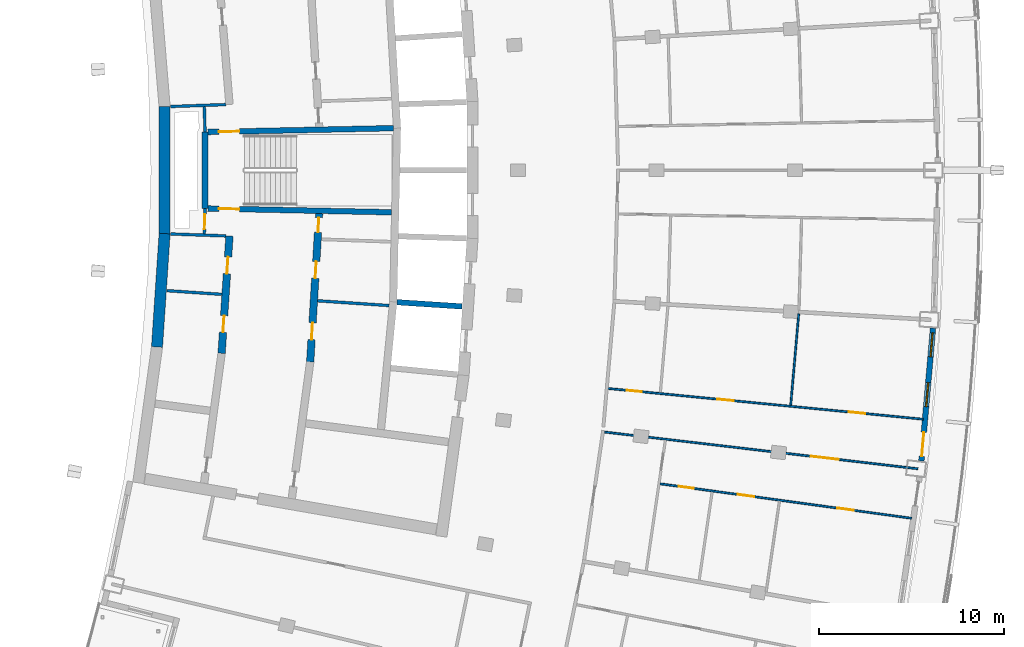
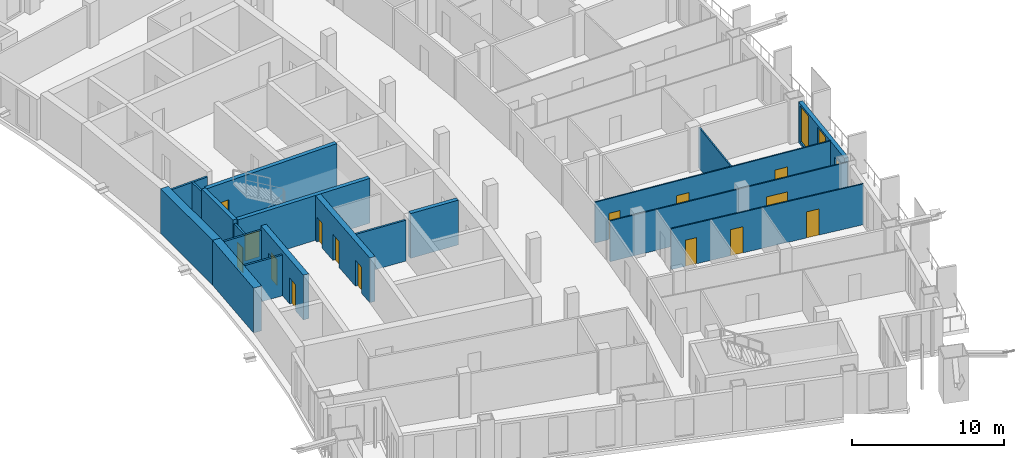
# One storey, part 11 of 21: 19 walls, 16 doors, 2 windows, 18 openings.
"""IFC4 building model written with IfcOpenShell, lengths in metres."""

from ifc_helpers import new_model, si_unit, direction, frame, frame_2d, origin, place, context, subcontext, project, spatial, rectangle, extrude, material, layer, layer_set, type_object, element, fill, save


model = new_model("IFC4")

# Units and contexts
model_context = context("Model", 3, precision=1e-05, world=origin(), true_north=direction((0.0, 1.0)))
body_context = subcontext(model_context, "Body", "Model", "MODEL_VIEW")
ifc_project = project(units=[si_unit("LENGTHUNIT", "METRE"), si_unit("AREAUNIT", "SQUARE_METRE"), si_unit("VOLUMEUNIT", "CUBIC_METRE"), si_unit("PLANEANGLEUNIT", "RADIAN"), si_unit("MASSUNIT", "GRAM", prefix="KILO")], contexts=[model_context])

# Site, building, storey
site_placement = place(None, origin())
site = spatial("IfcSite", under=ifc_project, at=site_placement, CompositionType="ELEMENT")
building_placement = place(site_placement, origin())
building = spatial("IfcBuilding", under=site, at=building_placement, Name="Alderwake Tower", CompositionType="ELEMENT")
storey_placement = place(building_placement, frame((0.0, 0.0, 207.199951171875)))
storey = spatial("IfcBuildingStorey", under=building, at=storey_placement, Name="L51", CompositionType="ELEMENT", Elevation=207.199951171875)

# Wall, opening, door
ifc_material_1 = material(Name="Gypsum shaft wall system, rated")
ifc_layer_1 = layer(ifc_material_1, 0.14990234375)
ifc_layer_set_1 = layer_set([ifc_layer_1], Name="Core room partition 150")
wall_type_1 = type_object("IfcWallType", Name="Core room partition 150", PredefinedType="PARTITIONING", material=ifc_layer_set_1)
wall_1_placement = place(storey_placement, frame((18.918701171875, 58.94384765625, 0.0), z_axis=(0.0, 0.0, 1.0), x_axis=(-0.027811602725, -0.999613182563, 0.0)))
wall_1 = element("IfcWall", 1, at=wall_1_placement, inside=storey, type_object=wall_type_1, Name="CW/L51/PA+24_-37", PredefinedType="PARTITIONING", context=body_context, shape_type="SweptSolid", body=[
    extrude(rectangle(XDim=1.369384765625, YDim=0.14990234375, at=frame_2d((0.6845703125, 0.0))), origin(), (0.0, 0.0, 1.0), 3.280029296875),
])
opening_1_placement = place(wall_1_placement, frame((0.322998046875, 0.0, 0.0)))
opening_1 = element("IfcOpeningElement", 2, at=opening_1_placement, cuts=wall_1, Name="Opening C004", PredefinedType="OPENING", context=body_context, shape_type="SweptSolid", body=[
    extrude(rectangle(XDim=0.800048828125, YDim=2.0, at=frame_2d((0.39990234375, 1.0))), frame((0.0, 0.0849609375, 0.0), z_axis=(0.0, -1.0, 0.0), x_axis=(1.0, 0.0, 0.0)), (0.0, 0.0, 1.0), 0.169921875),
])
ifc_material_2 = material(Name="Painted steel leaf, rated", Category="steel")
door_type_1 = type_object("IfcDoorType", Name="Riser access door 800", OperationType="SINGLE_SWING_LEFT", PredefinedType="DOOR", material=ifc_material_2)
door_1_placement = place(opening_1_placement, origin())
door_1 = element("IfcDoor", 3, at=door_1_placement, inside=storey, type_object=door_type_1, Name="Riser access door", OperationType="SINGLE_SWING_RIGHT", OverallHeight=2.0, OverallWidth=0.800048828125, PredefinedType="DOOR", context=body_context, shape_type="SweptSolid", body=[
    extrude(rectangle(XDim=0.800048828125, YDim=2.0, at=frame_2d((0.39990234375, 1.0))), frame((0.0, 0.02490234375, 0.0), z_axis=(0.0, -1.0, 0.0), x_axis=(1.0, 0.0, 0.0)), (0.0, 0.0, 1.0), 0.050048828125),
])
fill(opening_1, door_1)

# Walls
wall_2_placement = place(storey_placement, frame((18.918701171875, 63.05517578125, 0.0), z_axis=(0.0, 0.0, 1.0), x_axis=(-0.027791791559, 0.99961373356, 0.0)))
element("IfcWall", 4, at=wall_2_placement, inside=storey, type_object=wall_type_1, Name="CW/L51/PA+24_+22", PredefinedType="PARTITIONING", context=body_context, shape_type="SweptSolid", body=[
    extrude(rectangle(XDim=1.370361328125, YDim=0.14990234375, at=frame_2d((0.68505859375, 0.0))), origin(), (0.0, 0.0, 1.0), 3.280029296875),
])
wall_3_placement = place(storey_placement, frame((16.864501953125, 54.506103515625, 0.0), z_axis=(0.0, 0.0, 1.0), x_axis=(0.997761437145, -0.066873870437, 0.0)))
element("IfcWall", 5, at=wall_3_placement, inside=storey, type_object=wall_type_1, Name="CW/L51/PR-70_+0", PredefinedType="PARTITIONING", context=body_context, shape_type="SweptSolid", body=[
    extrude(rectangle(XDim=2.968017578125, YDim=0.14990234375, at=frame_2d((1.48388671875, 0.0))), origin(), (0.0, 0.0, 1.0), 3.280029296875),
])
wall_4_placement = place(storey_placement, frame((24.990234375, 53.96142578125, 0.0), z_axis=(0.0, 0.0, 1.0), x_axis=(0.997758824467, -0.06691284031, 0.0)))
element("IfcWall", 6, at=wall_4_placement, inside=storey, type_object=wall_type_1, Name="CW/L51/PR-70_+86", PredefinedType="PARTITIONING", context=body_context, shape_type="SweptSolid", body=[
    extrude(rectangle(XDim=3.86767578125, YDim=0.14990234375, at=frame_2d((1.933837890625, 0.0))), origin(), (0.0, 0.0, 1.0), 3.280029296875),
])
for number, where, z_axis, x_axis, name in (
    (7, (17.0693359375, 57.56396484375, 0.0), (0.0, 0.0, 1.0), (0.999374945052, -0.03535136775, 0.0), "CW/L51/PR-37_+0"),
    (8, (17.0693359375, 64.43603515625, 0.0), (0.0, 0.0, 1.0), (0.999374945052, 0.03535136775, 0.0), "CW/L51/PR+37_+0"),
):
    element("IfcWall", number, at=place(storey_placement, frame(where, z_axis=z_axis, x_axis=x_axis)), inside=storey, type_object=wall_type_1, Name=name, PredefinedType="PARTITIONING", context=body_context, shape_type="SweptSolid", body=[
        extrude(rectangle(XDim=2.9697265625, YDim=0.14990234375, at=frame_2d((1.48486328125, 0.0))), origin(), (0.0, 0.0, 1.0), 3.280029296875),
    ])
ifc_material_3 = material(Name="Concrete C70/85", Category="concrete")
ifc_layer_2 = layer(ifc_material_3, 0.60009765625)
ifc_layer_set_2 = layer_set([ifc_layer_2], Name="Core wall outer 600 C70-85")
wall_type_2 = type_object("IfcWallType", Name="Core wall outer 600 C70-85", PredefinedType="SHEAR", material=ifc_layer_set_2)
wall_5_placement = place(storey_placement, frame((16.330078125, 51.469970703125, 0.0), z_axis=(0.0, 0.0, 1.0), x_axis=(0.066870582109, 0.997761657536, 0.0)))
element("IfcWall", 9, at=wall_5_placement, inside=storey, type_object=wall_type_2, Name="Core wall CW.036", PredefinedType="SHEAR", context=body_context, shape_type="SweptSolid", body=[
    extrude(rectangle(XDim=6.1298828125, YDim=0.60009765625, at=frame_2d((3.06494140625, 0.0))), origin(), (0.0, 0.0, 1.0), 3.60009765625),
])
wall_6_placement = place(storey_placement, frame((16.739501953125, 57.565185546875, 0.0), z_axis=(0.0, 0.0, 1.0), x_axis=(0.0, 1.0, 0.0)))
element("IfcWall", 10, at=wall_6_placement, inside=storey, type_object=wall_type_2, Name="Core wall CW.038", PredefinedType="SHEAR", context=body_context, shape_type="SweptSolid", body=[
    extrude(rectangle(XDim=6.8720703125, YDim=0.60009765625, at=frame_2d((3.43603515625, 0.0))), origin(), (0.0, 0.0, 1.0), 3.60009765625),
])
ifc_material_4 = material(Name="Concrete C70/85", Category="concrete")
ifc_layer_3 = layer(ifc_material_4, 0.300048828125)
ifc_layer_set_3 = layer_set([ifc_layer_3], Name="Core wall shaft 300 C70-85")
wall_type_3 = type_object("IfcWallType", Name="Core wall shaft 300 C70-85", PredefinedType="SHEAR", material=ifc_layer_set_3)
wall_7_placement = place(storey_placement, frame((29.268798828125, 53.884521484375, 0.0), z_axis=(0.0, 0.0, 1.0), x_axis=(0.997887366571, -0.064967712281, 0.0)))
element("IfcWall", 11, at=wall_7_placement, inside=storey, type_object=wall_type_3, Name="Core wall CW.078", PredefinedType="SHEAR", context=body_context, shape_type="SweptSolid", body=[
    extrude(rectangle(XDim=3.509765625, YDim=0.300048828125, at=frame_2d((1.7548828125, 0.0))), origin(), (0.0, 0.0, 1.0), 3.60009765625),
])

# Wall, openings, doors
ifc_material_5 = material(Name="Concrete C70/85", Category="concrete")
ifc_layer_4 = layer(ifc_material_5, 0.39990234375)
ifc_layer_set_4 = layer_set([ifc_layer_4], Name="Core wall spine 400 C70-85")
wall_type_4 = type_object("IfcWallType", Name="Core wall spine 400 C70-85", PredefinedType="SHEAR", material=ifc_layer_set_4)
wall_8_placement = place(storey_placement, frame((20.2373046875, 57.451904296875, 0.0), z_axis=(0.0, 0.0, 1.0), x_axis=(-0.066884681503, -0.997760712486, 0.0)))
wall_8 = element("IfcWall", 12, at=wall_8_placement, inside=storey, type_object=wall_type_4, Name="Core wall CW.032", PredefinedType="SHEAR", context=body_context, shape_type="SweptSolid", body=[
    extrude(rectangle(XDim=6.336669921875, YDim=0.39990234375, at=frame_2d((3.16845703125, 0.0))), origin(), (0.0, 0.0, 1.0), 3.60009765625),
])
opening_2_placement = place(wall_8_placement, frame((4.297119140625, 0.0, 0.0)))
opening_2 = element("IfcOpeningElement", 13, at=opening_2_placement, cuts=wall_8, Name="Opening C038", PredefinedType="OPENING", context=body_context, shape_type="SweptSolid", body=[
    extrude(rectangle(XDim=0.89990234375, YDim=2.10009765625, at=frame_2d((0.449951171875, 1.050048828125))), frame((0.0, 0.2099609375, 0.0), z_axis=(0.0, -1.0, 0.0), x_axis=(1.0, 0.0, 0.0)), (0.0, 0.0, 1.0), 0.419921875),
])
opening_3_placement = place(wall_8_placement, frame((1.132080078125, 0.0, 0.0)))
opening_3 = element("IfcOpeningElement", 14, at=opening_3_placement, cuts=wall_8, Name="Opening C042", PredefinedType="OPENING", context=body_context, shape_type="SweptSolid", body=[
    extrude(rectangle(XDim=0.89990234375, YDim=2.10009765625, at=frame_2d((0.449951171875, 1.050048828125))), frame((0.0, 0.2099609375, 0.0), z_axis=(0.0, -1.0, 0.0), x_axis=(1.0, 0.0, 0.0)), (0.0, 0.0, 1.0), 0.419921875),
])
ifc_material_6 = material(Name="Painted steel leaf", Category="steel")
door_type_2 = type_object("IfcDoorType", Name="Core room door 900", OperationType="SINGLE_SWING_LEFT", PredefinedType="DOOR", material=ifc_material_6)
door_2_placement = place(opening_2_placement, origin())
door_2 = element("IfcDoor", 15, at=door_2_placement, inside=storey, type_object=door_type_2, Name="Room door", OperationType="SINGLE_SWING_RIGHT", OverallHeight=2.10009765625, OverallWidth=0.89990234375, PredefinedType="DOOR", context=body_context, shape_type="SweptSolid", body=[
    extrude(rectangle(XDim=0.89990234375, YDim=2.10009765625, at=frame_2d((0.449951171875, 1.050048828125))), frame((0.0, 0.02490234375, 0.0), z_axis=(0.0, -1.0, 0.0), x_axis=(1.0, 0.0, 0.0)), (0.0, 0.0, 1.0), 0.050048828125),
])
fill(opening_2, door_2)
door_3_placement = place(opening_3_placement, origin())
door_3 = element("IfcDoor", 16, at=door_3_placement, inside=storey, type_object=door_type_2, Name="Room door", OperationType="SINGLE_SWING_LEFT", OverallHeight=2.10009765625, OverallWidth=0.89990234375, PredefinedType="DOOR", context=body_context, shape_type="SweptSolid", body=[
    extrude(rectangle(XDim=0.89990234375, YDim=2.10009765625, at=frame_2d((0.449951171875, 1.050048828125))), frame((0.0, 0.02490234375, 0.0), z_axis=(0.0, -1.0, 0.0), x_axis=(1.0, 0.0, 0.0)), (0.0, 0.0, 1.0), 0.050048828125),
])
fill(opening_3, door_3)

wall_9_placement = place(storey_placement, frame((24.590087890625, 50.65673828125, 0.0), z_axis=(0.0, 0.0, 1.0), x_axis=(0.060318641452, 0.998179173041, 0.0)))
wall_9 = element("IfcWall", 17, at=wall_9_placement, inside=storey, type_object=wall_type_4, Name="Core wall CW.046", PredefinedType="SHEAR", context=body_context, shape_type="SweptSolid", body=[
    extrude(rectangle(XDim=8.022216796875, YDim=0.39990234375, at=frame_2d((4.01123046875, 0.0))), origin(), (0.0, 0.0, 1.0), 3.60009765625),
])
opening_4_placement = place(wall_9_placement, frame((7.006103515625, 0.0, 0.0)))
opening_4 = element("IfcOpeningElement", 18, at=opening_4_placement, cuts=wall_9, Name="Opening C006", PredefinedType="OPENING", context=body_context, shape_type="SweptSolid", body=[
    extrude(rectangle(XDim=0.800048828125, YDim=2.0, at=frame_2d((0.39990234375, 1.0))), frame((0.0, 0.2099609375, 0.0), z_axis=(0.0, -1.0, 0.0), x_axis=(1.0, 0.0, 0.0)), (0.0, 0.0, 1.0), 0.419921875),
])
opening_5_placement = place(wall_9_placement, frame((1.21533203125, 0.0, 0.0)))
opening_5 = element("IfcOpeningElement", 19, at=opening_5_placement, cuts=wall_9, Name="Opening C044", PredefinedType="OPENING", context=body_context, shape_type="SweptSolid", body=[
    extrude(rectangle(XDim=0.89990234375, YDim=2.10009765625, at=frame_2d((0.449951171875, 1.050048828125))), frame((0.0, 0.2099609375, 0.0), z_axis=(0.0, -1.0, 0.0), x_axis=(1.0, 0.0, 0.0)), (0.0, 0.0, 1.0), 0.419921875),
])
opening_6_placement = place(wall_9_placement, frame((4.531982421875, 0.0, 0.0)))
opening_6 = element("IfcOpeningElement", 20, at=opening_6_placement, cuts=wall_9, Name="Opening C048", PredefinedType="OPENING", context=body_context, shape_type="SweptSolid", body=[
    extrude(rectangle(XDim=0.89990234375, YDim=2.10009765625, at=frame_2d((0.449951171875, 1.050048828125))), frame((0.0, 0.2099609375, 0.0), z_axis=(0.0, -1.0, 0.0), x_axis=(1.0, 0.0, 0.0)), (0.0, 0.0, 1.0), 0.419921875),
])
door_4_placement = place(opening_5_placement, origin())
door_4 = element("IfcDoor", 21, at=door_4_placement, inside=storey, type_object=door_type_2, Name="Room door", OperationType="SINGLE_SWING_RIGHT", OverallHeight=2.10009765625, OverallWidth=0.89990234375, PredefinedType="DOOR", context=body_context, shape_type="SweptSolid", body=[
    extrude(rectangle(XDim=0.89990234375, YDim=2.10009765625, at=frame_2d((0.449951171875, 1.050048828125))), frame((0.0, 0.02490234375, 0.0), z_axis=(0.0, -1.0, 0.0), x_axis=(1.0, 0.0, 0.0)), (0.0, 0.0, 1.0), 0.050048828125),
])
fill(opening_5, door_4)
door_5_placement = place(opening_6_placement, origin())
door_5 = element("IfcDoor", 22, at=door_5_placement, inside=storey, type_object=door_type_2, Name="Room door", OperationType="SINGLE_SWING_LEFT", OverallHeight=2.10009765625, OverallWidth=0.89990234375, PredefinedType="DOOR", context=body_context, shape_type="SweptSolid", body=[
    extrude(rectangle(XDim=0.89990234375, YDim=2.10009765625, at=frame_2d((0.449951171875, 1.050048828125))), frame((0.0, 0.02490234375, 0.0), z_axis=(0.0, -1.0, 0.0), x_axis=(1.0, 0.0, 0.0)), (0.0, 0.0, 1.0), 0.050048828125),
])
fill(opening_6, door_5)
door_6_placement = place(opening_4_placement, origin())
door_6 = element("IfcDoor", 23, at=door_6_placement, inside=storey, type_object=door_type_1, Name="Riser access door", OperationType="SINGLE_SWING_RIGHT", OverallHeight=2.0, OverallWidth=0.800048828125, PredefinedType="DOOR", context=body_context, shape_type="SweptSolid", body=[
    extrude(rectangle(XDim=0.800048828125, YDim=2.0, at=frame_2d((0.39990234375, 1.0))), frame((0.0, 0.02490234375, 0.0), z_axis=(0.0, -1.0, 0.0), x_axis=(1.0, 0.0, 0.0)), (0.0, 0.0, 1.0), 0.050048828125),
])
fill(opening_4, door_6)

# Wall
ifc_material_7 = material(Name="Concrete C70/85", Category="concrete")
ifc_layer_5 = layer(ifc_material_7, 0.300048828125)
ifc_layer_set_5 = layer_set([ifc_layer_5], Name="Core wall stair enclosure 300 C70-85")
wall_type_5 = type_object("IfcWallType", Name="Core wall stair enclosure 300 C70-85", PredefinedType="SHEAR", material=ifc_layer_set_5)
wall_10_placement = place(storey_placement, frame((18.918701171875, 58.940673828125, 0.0), z_axis=(0.0, 0.0, 1.0), x_axis=(0.0, 1.0, 0.0)))
element("IfcWall", 24, at=wall_10_placement, inside=storey, type_object=wall_type_5, Name="Core wall CW.024", PredefinedType="SHEAR", context=body_context, shape_type="SweptSolid", body=[
    extrude(rectangle(XDim=4.11962890625, YDim=0.300048828125, at=frame_2d((2.059814453125, 0.0))), origin(), (0.0, 0.0, 1.0), 3.60009765625),
])

# Wall, opening, door
wall_11_placement = place(storey_placement, frame((28.975830078125, 58.733154296875, 0.0), z_axis=(0.0, 0.0, 1.0), x_axis=(-0.999783782948, 0.020793925895, 0.0)))
wall_11 = element("IfcWall", 25, at=wall_11_placement, inside=storey, type_object=wall_type_5, Name="Core wall CW.074", PredefinedType="SHEAR", context=body_context, shape_type="SweptSolid", body=[
    extrude(rectangle(XDim=9.909423828125, YDim=0.300048828125, at=frame_2d((4.95458984375, 0.0))), origin(), (0.0, 0.0, 1.0), 3.60009765625),
])
opening_7_placement = place(wall_11_placement, frame((8.20947265625, 0.0, 0.0)))
opening_7 = element("IfcOpeningElement", 26, at=opening_7_placement, cuts=wall_11, Name="Opening C063", PredefinedType="OPENING", context=body_context, shape_type="SweptSolid", body=[
    extrude(rectangle(XDim=1.10009765625, YDim=2.10009765625, at=frame_2d((0.550048828125, 1.050048828125))), frame((0.0, 0.159912109375, 0.0), z_axis=(0.0, -1.0, 0.0), x_axis=(1.0, 0.0, 0.0)), (0.0, 0.0, 1.0), 0.320068359375),
])
ifc_material_8 = material(Name="Steel-framed fire door leaf", Category="steel")
door_type_3 = type_object("IfcDoorType", Name="Core stair door 1100 fire-rated", OperationType="SINGLE_SWING_LEFT", PredefinedType="DOOR", material=ifc_material_8)
door_7_placement = place(opening_7_placement, origin())
door_7 = element("IfcDoor", 27, at=door_7_placement, inside=storey, type_object=door_type_3, Name="Stair door", OperationType="SINGLE_SWING_LEFT", OverallHeight=2.10009765625, OverallWidth=1.10009765625, PredefinedType="DOOR", context=body_context, shape_type="SweptSolid", body=[
    extrude(rectangle(XDim=1.10009765625, YDim=2.10009765625, at=frame_2d((0.550048828125, 1.050048828125))), frame((0.0, 0.02490234375, 0.0), z_axis=(0.0, -1.0, 0.0), x_axis=(1.0, 0.0, 0.0)), (0.0, 0.0, 1.0), 0.050048828125),
])
fill(opening_7, door_7)

wall_12_placement = place(storey_placement, frame((19.068603515625, 63.060791015625, 0.0), z_axis=(0.0, 0.0, 1.0), x_axis=(0.999783553773, 0.02080494185, 0.0)))
wall_12 = element("IfcWall", 28, at=wall_12_placement, inside=storey, type_object=wall_type_5, Name="Core wall CW.057", PredefinedType="SHEAR", context=body_context, shape_type="SweptSolid", body=[
    extrude(rectangle(XDim=10.009765625, YDim=0.300048828125, at=frame_2d((5.0048828125, 0.0))), origin(), (0.0, 0.0, 1.0), 3.60009765625),
])
opening_8_placement = place(wall_12_placement, frame((0.60009765625, 0.0, 0.0)))
opening_8 = element("IfcOpeningElement", 29, at=opening_8_placement, cuts=wall_12, Name="Opening C064", PredefinedType="OPENING", context=body_context, shape_type="SweptSolid", body=[
    extrude(rectangle(XDim=1.10009765625, YDim=2.10009765625, at=frame_2d((0.550048828125, 1.050048828125))), frame((0.0, 0.159912109375, 0.0), z_axis=(0.0, -1.0, 0.0), x_axis=(1.0, 0.0, 0.0)), (0.0, 0.0, 1.0), 0.320068359375),
])
door_8_placement = place(opening_8_placement, origin())
door_8 = element("IfcDoor", 30, at=door_8_placement, inside=storey, type_object=door_type_3, Name="Stair door", OperationType="SINGLE_SWING_RIGHT", OverallHeight=2.10009765625, OverallWidth=1.10009765625, PredefinedType="DOOR", context=body_context, shape_type="SweptSolid", body=[
    extrude(rectangle(XDim=1.10009765625, YDim=2.10009765625, at=frame_2d((0.550048828125, 1.050048828125))), frame((0.0, 0.02490234375, 0.0), z_axis=(0.0, -1.0, 0.0), x_axis=(1.0, 0.0, 0.0)), (0.0, 0.0, 1.0), 0.050048828125),
])
fill(opening_8, door_8)

# Wall, openings, door, windows
ifc_material_9 = material(Name="Precast concrete C50/60 spandrel panel", Category="concrete")
ifc_layer_6 = layer(ifc_material_9, 0.300048828125)
ifc_layer_set_6 = layer_set([ifc_layer_6], Name="External wall EW1 Precast concrete C50/60 spandrel")
wall_type_6 = type_object("IfcWallType", Name="External wall EW1 Precast concrete C50/60 spandrel", PredefinedType="SOLIDWALL", material=ifc_layer_set_6)
wall_13_placement = place(storey_placement, frame((57.5478515625, 45.329833984375, 0.0), z_axis=(0.0, 0.0, 1.0), x_axis=(0.087383747715, 0.996174723949, 0.0)))
wall_13 = element("IfcWall", 31, at=wall_13_placement, inside=storey, type_object=wall_type_6, Name="External wall 14", PredefinedType="SOLIDWALL", context=body_context, shape_type="SweptSolid", body=[
    extrude(rectangle(XDim=7.180419921875, YDim=0.300048828125, at=frame_2d((3.59033203125, 0.0))), origin(), (0.0, 0.0, 1.0), 3.280029296875),
])
opening_9_placement = place(wall_13_placement, frame((0.25341796875, 0.0, 0.0)))
opening_9 = element("IfcOpeningElement", 32, at=opening_9_placement, cuts=wall_13, Name="Opening D04", PredefinedType="OPENING", context=body_context, shape_type="SweptSolid", body=[
    extrude(rectangle(XDim=1.300048828125, YDim=2.39990234375, at=frame_2d((0.64990234375, 1.199951171875))), frame((0.0, 0.159912109375, 0.0), z_axis=(0.0, -1.0, 0.0), x_axis=(1.0, 0.0, 0.0)), (0.0, 0.0, 1.0), 0.320068359375),
])
opening_10_placement = place(wall_13_placement, frame((2.940185546875, 0.0, 0.199951171875)))
opening_10 = element("IfcOpeningElement", 33, at=opening_10_placement, cuts=wall_13, Name="Opening W1", PredefinedType="OPENING", context=body_context, shape_type="SweptSolid", body=[
    extrude(rectangle(XDim=1.300048828125, YDim=2.89990234375, at=frame_2d((0.64990234375, 1.449951171875))), frame((0.0, 0.159912109375, 0.0), z_axis=(0.0, -1.0, 0.0), x_axis=(1.0, 0.0, 0.0)), (0.0, 0.0, 1.0), 0.320068359375),
])
opening_11_placement = place(wall_13_placement, frame((5.626953125, 0.0, 0.199951171875)))
opening_11 = element("IfcOpeningElement", 34, at=opening_11_placement, cuts=wall_13, Name="Opening W1", PredefinedType="OPENING", context=body_context, shape_type="SweptSolid", body=[
    extrude(rectangle(XDim=1.300048828125, YDim=2.89990234375, at=frame_2d((0.64990234375, 1.449951171875))), frame((0.0, 0.159912109375, 0.0), z_axis=(0.0, -1.0, 0.0), x_axis=(1.0, 0.0, 0.0)), (0.0, 0.0, 1.0), 0.320068359375),
])
ifc_material_10 = material(Name="Bronze tinted glass in aluminium frame", Category="aluminium")
door_type_4 = type_object("IfcDoorType", Name="Balcony door BD sliding", OperationType="SLIDING_TO_LEFT", PredefinedType="DOOR", material=ifc_material_10)
door_9_placement = place(opening_9_placement, origin())
door_9 = element("IfcDoor", 35, at=door_9_placement, inside=storey, type_object=door_type_4, Name="Door D04", OperationType="SLIDING_TO_LEFT", OverallHeight=2.39990234375, OverallWidth=1.300048828125, PredefinedType="DOOR", context=body_context, shape_type="SweptSolid", body=[
    extrude(rectangle(XDim=1.300048828125, YDim=2.39990234375, at=frame_2d((0.64990234375, 1.199951171875))), frame((0.0, 0.02490234375, 0.0), z_axis=(0.0, -1.0, 0.0), x_axis=(1.0, 0.0, 0.0)), (0.0, 0.0, 1.0), 0.050048828125),
])
fill(opening_9, door_9)
ifc_material_11 = material(Name="Bronze tinted glass in aluminium frame", Category="aluminium")
window_type = type_object("IfcWindowType", Name="Window W1 tall fixed and vent", PartitioningType="DOUBLE_PANEL_VERTICAL", PredefinedType="WINDOW", material=ifc_material_11)
window_1_placement = place(opening_10_placement, origin())
window_1 = element("IfcWindow", 36, at=window_1_placement, inside=storey, type_object=window_type, Name="Window W1 tall fixed and vent", OverallHeight=2.89990234375, OverallWidth=1.300048828125, PartitioningType="DOUBLE_PANEL_VERTICAL", PredefinedType="WINDOW", context=body_context, shape_type="SweptSolid", body=[
    extrude(rectangle(XDim=1.300048828125, YDim=2.89990234375, at=frame_2d((0.64990234375, 1.449951171875))), frame((0.0, 0.030029296875, 0.0), z_axis=(0.0, -1.0, 0.0), x_axis=(1.0, 0.0, 0.0)), (0.0, 0.0, 1.0), 0.06005859375),
])
fill(opening_10, window_1)
window_2_placement = place(opening_11_placement, origin())
window_2 = element("IfcWindow", 37, at=window_2_placement, inside=storey, type_object=window_type, Name="Window W1 tall fixed and vent", OverallHeight=2.89990234375, OverallWidth=1.300048828125, PartitioningType="DOUBLE_PANEL_VERTICAL", PredefinedType="WINDOW", context=body_context, shape_type="SweptSolid", body=[
    extrude(rectangle(XDim=1.300048828125, YDim=2.89990234375, at=frame_2d((0.64990234375, 1.449951171875))), frame((0.0, 0.030029296875, 0.0), z_axis=(0.0, -1.0, 0.0), x_axis=(1.0, 0.0, 0.0)), (0.0, 0.0, 1.0), 0.06005859375),
])
fill(opening_11, window_2)

# Wall, opening, door
ifc_material_12 = material(Name="Gypsum board on metal studs")
ifc_layer_7 = layer(ifc_material_12, 0.10009765625)
ifc_layer_set_7 = layer_set([ifc_layer_7], Name="Unit partition 100")
wall_type_7 = type_object("IfcWallType", Name="Unit partition 100", PredefinedType="PARTITIONING", material=ifc_layer_set_7)
wall_14_placement = place(storey_placement, frame((40.45654296875, 46.8837890625, 0.0), z_axis=(0.0, 0.0, 1.0), x_axis=(0.993189715166, -0.116508324546, 0.0)))
wall_14 = element("IfcWall", 38, at=wall_14_placement, inside=storey, type_object=wall_type_7, Name="WL/L51/W45", PredefinedType="PARTITIONING", context=body_context, shape_type="SweptSolid", body=[
    extrude(rectangle(XDim=17.01953125, YDim=0.10009765625, at=frame_2d((8.509765625, 0.0))), origin(), (0.0, 0.0, 1.0), 3.280029296875),
])
opening_12_placement = place(wall_14_placement, frame((11.213134765625, 0.0, 0.0)))
opening_12 = element("IfcOpeningElement", 39, at=opening_12_placement, cuts=wall_14, Name="Opening R14-U04.9", PredefinedType="OPENING", context=body_context, shape_type="SweptSolid", body=[
    extrude(rectangle(XDim=1.5, YDim=2.10009765625, at=frame_2d((0.75, 1.050048828125))), frame((0.0, 0.06005859375, 0.0), z_axis=(0.0, -1.0, 0.0), x_axis=(1.0, 0.0, 0.0)), (0.0, 0.0, 1.0), 0.1201171875),
])
ifc_material_13 = material(Name="Painted timber leaves", Category="wood")
door_type_5 = type_object("IfcDoorType", Name="Double leaf door 1500", OperationType="DOUBLE_DOOR_SINGLE_SWING", PredefinedType="DOOR", material=ifc_material_13)
door_10_placement = place(opening_12_placement, origin())
door_10 = element("IfcDoor", 40, at=door_10_placement, inside=storey, type_object=door_type_5, Name="DR/L51/U04.9", OperationType="DOUBLE_DOOR_SINGLE_SWING", OverallHeight=2.10009765625, OverallWidth=1.5, PredefinedType="DOOR", context=body_context, shape_type="SweptSolid", body=[
    extrude(rectangle(XDim=1.5, YDim=2.10009765625, at=frame_2d((0.75, 1.050048828125))), frame((0.0, 0.02490234375, 0.0), z_axis=(0.0, -1.0, 0.0), x_axis=(1.0, 0.0, 0.0)), (0.0, 0.0, 1.0), 0.050048828125),
])
fill(opening_12, door_10)

# Wall, openings, doors
wall_15_placement = place(storey_placement, frame((40.66064453125, 49.231201171875, 0.0), z_axis=(0.0, 0.0, 1.0), x_axis=(0.995273419862, -0.09711240763, 0.0)))
wall_15 = element("IfcWall", 41, at=wall_15_placement, inside=storey, type_object=wall_type_7, Name="WL/L51/W46", PredefinedType="PARTITIONING", context=body_context, shape_type="SweptSolid", body=[
    extrude(rectangle(XDim=17.06494140625, YDim=0.10009765625, at=frame_2d((8.532470703125, 0.0))), origin(), (0.0, 0.0, 1.0), 3.280029296875),
])
opening_13_placement = place(wall_15_placement, frame((5.901123046875, 0.0, 0.0)))
opening_13 = element("IfcOpeningElement", 42, at=opening_13_placement, cuts=wall_15, Name="Opening R14-U04.6", PredefinedType="OPENING", context=body_context, shape_type="SweptSolid", body=[
    extrude(rectangle(XDim=0.89990234375, YDim=2.10009765625, at=frame_2d((0.449951171875, 1.050048828125))), frame((0.0, 0.06005859375, 0.0), z_axis=(0.0, -1.0, 0.0), x_axis=(1.0, 0.0, 0.0)), (0.0, 0.0, 1.0), 0.1201171875),
])
opening_14_placement = place(wall_15_placement, frame((1.010009765625, 0.0, 0.0)))
opening_14 = element("IfcOpeningElement", 43, at=opening_14_placement, cuts=wall_15, Name="Opening R14-U04.7", PredefinedType="OPENING", context=body_context, shape_type="SweptSolid", body=[
    extrude(rectangle(XDim=0.800048828125, YDim=2.10009765625, at=frame_2d((0.39990234375, 1.050048828125))), frame((0.0, 0.06005859375, 0.0), z_axis=(0.0, -1.0, 0.0), x_axis=(1.0, 0.0, 0.0)), (0.0, 0.0, 1.0), 0.1201171875),
])
opening_15_placement = place(wall_15_placement, frame((13.023193359375, 0.0, 0.0)))
opening_15 = element("IfcOpeningElement", 44, at=opening_15_placement, cuts=wall_15, Name="Opening R14-U04.8", PredefinedType="OPENING", context=body_context, shape_type="SweptSolid", body=[
    extrude(rectangle(XDim=0.89990234375, YDim=2.10009765625, at=frame_2d((0.449951171875, 1.050048828125))), frame((0.0, 0.06005859375, 0.0), z_axis=(0.0, -1.0, 0.0), x_axis=(1.0, 0.0, 0.0)), (0.0, 0.0, 1.0), 0.1201171875),
])
ifc_material_14 = material(Name="Painted timber leaf", Category="wood")
door_type_6 = type_object("IfcDoorType", Name="Bathroom door 800", OperationType="SINGLE_SWING_LEFT", PredefinedType="DOOR", material=ifc_material_14)
door_11_placement = place(opening_14_placement, origin())
door_11 = element("IfcDoor", 45, at=door_11_placement, inside=storey, type_object=door_type_6, Name="DR/L51/U04.7", OperationType="SINGLE_SWING_LEFT", OverallHeight=2.10009765625, OverallWidth=0.800048828125, PredefinedType="DOOR", context=body_context, shape_type="SweptSolid", body=[
    extrude(rectangle(XDim=0.800048828125, YDim=2.10009765625, at=frame_2d((0.39990234375, 1.050048828125))), frame((0.0, 0.02490234375, 0.0), z_axis=(0.0, -1.0, 0.0), x_axis=(1.0, 0.0, 0.0)), (0.0, 0.0, 1.0), 0.050048828125),
])
fill(opening_14, door_11)
ifc_material_15 = material(Name="Painted timber leaf", Category="wood")
door_type_7 = type_object("IfcDoorType", Name="Room door 900", OperationType="SINGLE_SWING_LEFT", PredefinedType="DOOR", material=ifc_material_15)
door_12_placement = place(opening_13_placement, origin())
door_12 = element("IfcDoor", 46, at=door_12_placement, inside=storey, type_object=door_type_7, Name="DR/L51/U04.6", OperationType="SINGLE_SWING_LEFT", OverallHeight=2.10009765625, OverallWidth=0.89990234375, PredefinedType="DOOR", context=body_context, shape_type="SweptSolid", body=[
    extrude(rectangle(XDim=0.89990234375, YDim=2.10009765625, at=frame_2d((0.449951171875, 1.050048828125))), frame((0.0, 0.02490234375, 0.0), z_axis=(0.0, -1.0, 0.0), x_axis=(1.0, 0.0, 0.0)), (0.0, 0.0, 1.0), 0.050048828125),
])
fill(opening_13, door_12)
door_13_placement = place(opening_15_placement, origin())
door_13 = element("IfcDoor", 47, at=door_13_placement, inside=storey, type_object=door_type_7, Name="DR/L51/U04.8", OperationType="SINGLE_SWING_LEFT", OverallHeight=2.10009765625, OverallWidth=0.89990234375, PredefinedType="DOOR", context=body_context, shape_type="SweptSolid", body=[
    extrude(rectangle(XDim=0.89990234375, YDim=2.10009765625, at=frame_2d((0.449951171875, 1.050048828125))), frame((0.0, 0.02490234375, 0.0), z_axis=(0.0, -1.0, 0.0), x_axis=(1.0, 0.0, 0.0)), (0.0, 0.0, 1.0), 0.050048828125),
])
fill(opening_15, door_13)

wall_16_placement = place(storey_placement, frame((57.01806640625, 42.23388671875, 0.0), z_axis=(0.0, 0.0, 1.0), x_axis=(-0.990740493083, 0.135769198883, 0.0)))
wall_16 = element("IfcWall", 48, at=wall_16_placement, inside=storey, type_object=wall_type_7, Name="WL/L51/W49", PredefinedType="PARTITIONING", context=body_context, shape_type="SweptSolid", body=[
    extrude(rectangle(XDim=13.684326171875, YDim=0.10009765625, at=frame_2d((6.84228515625, 0.0))), origin(), (0.0, 0.0, 1.0), 3.280029296875),
])
opening_16_placement = place(wall_16_placement, frame((8.563232421875, 0.0, 0.0)))
opening_16 = element("IfcOpeningElement", 49, at=opening_16_placement, cuts=wall_16, Name="Opening R14-U04.1", PredefinedType="OPENING", context=body_context, shape_type="SweptSolid", body=[
    extrude(rectangle(XDim=0.89990234375, YDim=2.10009765625, at=frame_2d((0.449951171875, 1.050048828125))), frame((0.0, 0.06005859375, 0.0), z_axis=(0.0, -1.0, 0.0), x_axis=(1.0, 0.0, 0.0)), (0.0, 0.0, 1.0), 0.1201171875),
])
opening_17_placement = place(wall_16_placement, frame((11.86474609375, 0.0, 0.0)))
opening_17 = element("IfcOpeningElement", 50, at=opening_17_placement, cuts=wall_16, Name="Opening R14-U04.4", PredefinedType="OPENING", context=body_context, shape_type="SweptSolid", body=[
    extrude(rectangle(XDim=0.800048828125, YDim=2.10009765625, at=frame_2d((0.39990234375, 1.050048828125))), frame((0.0, 0.06005859375, 0.0), z_axis=(0.0, -1.0, 0.0), x_axis=(1.0, 0.0, 0.0)), (0.0, 0.0, 1.0), 0.1201171875),
])
opening_18_placement = place(wall_16_placement, frame((3.140869140625, 0.0, 0.0)))
opening_18 = element("IfcOpeningElement", 51, at=opening_18_placement, cuts=wall_16, Name="Opening R14-U04.5", PredefinedType="OPENING", context=body_context, shape_type="SweptSolid", body=[
    extrude(rectangle(XDim=0.89990234375, YDim=2.10009765625, at=frame_2d((0.449951171875, 1.050048828125))), frame((0.0, 0.06005859375, 0.0), z_axis=(0.0, -1.0, 0.0), x_axis=(1.0, 0.0, 0.0)), (0.0, 0.0, 1.0), 0.1201171875),
])
door_14_placement = place(opening_17_placement, origin())
door_14 = element("IfcDoor", 52, at=door_14_placement, inside=storey, type_object=door_type_6, Name="DR/L51/U04.4", OperationType="SINGLE_SWING_LEFT", OverallHeight=2.10009765625, OverallWidth=0.800048828125, PredefinedType="DOOR", context=body_context, shape_type="SweptSolid", body=[
    extrude(rectangle(XDim=0.800048828125, YDim=2.10009765625, at=frame_2d((0.39990234375, 1.050048828125))), frame((0.0, 0.02490234375, 0.0), z_axis=(0.0, -1.0, 0.0), x_axis=(1.0, 0.0, 0.0)), (0.0, 0.0, 1.0), 0.050048828125),
])
fill(opening_17, door_14)
door_15_placement = place(opening_16_placement, origin())
door_15 = element("IfcDoor", 53, at=door_15_placement, inside=storey, type_object=door_type_7, Name="DR/L51/U04.1", OperationType="SINGLE_SWING_LEFT", OverallHeight=2.10009765625, OverallWidth=0.89990234375, PredefinedType="DOOR", context=body_context, shape_type="SweptSolid", body=[
    extrude(rectangle(XDim=0.89990234375, YDim=2.10009765625, at=frame_2d((0.449951171875, 1.050048828125))), frame((0.0, 0.02490234375, 0.0), z_axis=(0.0, -1.0, 0.0), x_axis=(1.0, 0.0, 0.0)), (0.0, 0.0, 1.0), 0.050048828125),
])
fill(opening_16, door_15)
door_16_placement = place(opening_18_placement, origin())
door_16 = element("IfcDoor", 54, at=door_16_placement, inside=storey, type_object=door_type_7, Name="DR/L51/U04.5", OperationType="SINGLE_SWING_LEFT", OverallHeight=2.10009765625, OverallWidth=0.89990234375, PredefinedType="DOOR", context=body_context, shape_type="SweptSolid", body=[
    extrude(rectangle(XDim=0.89990234375, YDim=2.10009765625, at=frame_2d((0.449951171875, 1.050048828125))), frame((0.0, 0.02490234375, 0.0), z_axis=(0.0, -1.0, 0.0), x_axis=(1.0, 0.0, 0.0)), (0.0, 0.0, 1.0), 0.050048828125),
])
fill(opening_18, door_16)

# Wall
wall_17_placement = place(storey_placement, frame((50.50048828125, 48.32275390625, 0.0), z_axis=(0.0, 0.0, 1.0), x_axis=(0.08762167266, 0.996153824708, 0.0)))
element("IfcWall", 55, at=wall_17_placement, inside=storey, type_object=wall_type_7, Name="WL/L51/W54", PredefinedType="PARTITIONING", context=body_context, shape_type="SweptSolid", body=[
    extrude(rectangle(XDim=4.948486328125, YDim=0.10009765625, at=frame_2d((2.47412109375, 0.0))), origin(), (0.0, 0.0, 1.0), 3.280029296875),
])

save(model, "model.ifc")
